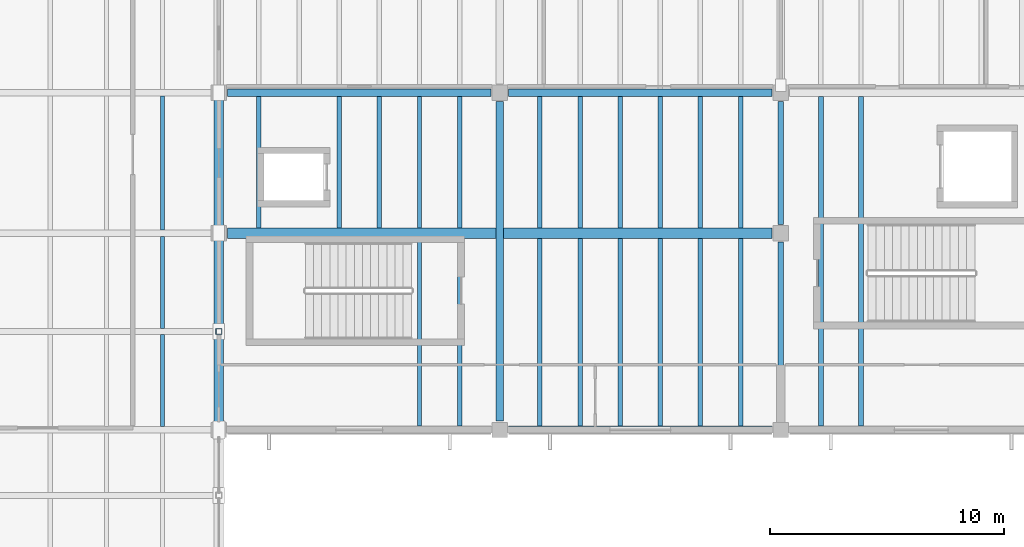
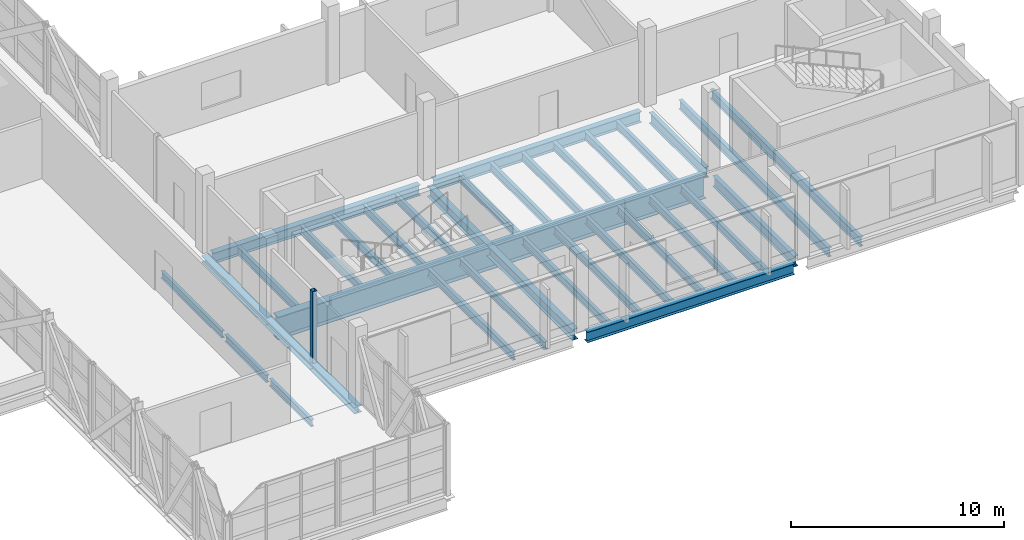
# One storey, part 28 of 63: 34 beams, 1 member.
"""IFC4 building model written with IfcOpenShell, lengths in metres."""

from ifc_helpers import new_model, si_unit, direction, frame, origin, origin_2d, place, context, subcontext, project, spatial, hollow_rectangle, i_section, extrude, material, material_profile, profile_set, type_object, element, save


model = new_model("IFC4")

# Units and contexts
model_context = context("Model", 3, precision=1e-05, world=origin(), true_north=direction((0.0, 1.0)))
body_context = subcontext(model_context, "Body", "Model", "MODEL_VIEW")
ifc_project = project(units=[si_unit("LENGTHUNIT", "METRE"), si_unit("AREAUNIT", "SQUARE_METRE"), si_unit("VOLUMEUNIT", "CUBIC_METRE"), si_unit("PLANEANGLEUNIT", "RADIAN"), si_unit("MASSUNIT", "GRAM", prefix="KILO")], contexts=[model_context])

# Site, building, storey
site_placement = place(None, origin())
site = spatial("IfcSite", under=ifc_project, at=site_placement, CompositionType="ELEMENT")
building_placement = place(site_placement, origin())
building = spatial("IfcBuilding", under=site, at=building_placement, Name="Kelmvaro Bay Concert Hall", CompositionType="ELEMENT")
storey_placement = place(building_placement, frame((0.0, 0.0, 13.800048828125)))
storey = spatial("IfcBuildingStorey", under=building, at=storey_placement, Name="L03", CompositionType="ELEMENT", Elevation=13.800048828125)

# Beams
ifc_material_1 = material(Name="Steel ASTM A992 Grade 50", Category="steel")
ifc_material_profile_1 = material_profile(ifc_material_1, i_section(OverallWidth=0.177978515625, OverallDepth=0.406005859375, WebThickness=0.0078125, FlangeThickness=0.0126953125, at=origin_2d()), Name="W16X40")
ifc_profile_set_1 = profile_set([ifc_material_profile_1], Name="Steel ASTM A992 Grade 50")
beam_type_1 = type_object("IfcBeamType", Name="Bridge Deck Floor Joist W16x40", PredefinedType="JOIST", material=ifc_profile_set_1)
beam_1_placement = place(storey_placement, frame((129.60009765625, 15.7333984375, -0.532958984375), z_axis=(0.0, 1.0, 0.0), x_axis=(-1.0, 0.0, 0.0)))
element("IfcBeam", 1, at=beam_1_placement, inside=storey, type_object=beam_type_1, Name="Bridge Deck Joist L03-04", PredefinedType="JOIST", context=body_context, shape_type="SweptSolid", body=[
    extrude(i_section(OverallWidth=0.177978515625, OverallDepth=0.406005859375, WebThickness=0.0078125, FlangeThickness=0.0126953125, at=origin_2d()), origin(), (0.0, 0.0, 1.0), 3.93310546875),
])
beam_2_placement = place(storey_placement, frame((129.60009765625, 19.93359375, -0.532958984375), z_axis=(0.0, 1.0, 0.0), x_axis=(-1.0, 0.0, 0.0)))
element("IfcBeam", 2, at=beam_2_placement, inside=storey, type_object=beam_type_1, Name="Bridge Deck Joist L03-05", PredefinedType="JOIST", context=body_context, shape_type="SweptSolid", body=[
    extrude(i_section(OverallWidth=0.177978515625, OverallDepth=0.406005859375, WebThickness=0.0078125, FlangeThickness=0.0126953125, at=origin_2d()), origin(), (0.0, 0.0, 1.0), 3.932861328125),
])
beam_3_placement = place(storey_placement, frame((129.60009765625, 24.133544921875, -0.532958984375), z_axis=(0.0, 1.0, 0.0), x_axis=(-1.0, 0.0, 0.0)))
element("IfcBeam", 3, at=beam_3_placement, inside=storey, type_object=beam_type_1, Name="Bridge Deck Joist L03-06", PredefinedType="JOIST", context=body_context, shape_type="SweptSolid", body=[
    extrude(i_section(OverallWidth=0.177978515625, OverallDepth=0.406005859375, WebThickness=0.0078125, FlangeThickness=0.0126953125, at=origin_2d()), origin(), (0.0, 0.0, 1.0), 5.73291015625),
])
ifc_material_2 = material(Name="Steel ASTM A992 Grade 50", Category="steel")
ifc_material_profile_2 = material_profile(ifc_material_2, i_section(OverallWidth=0.39892578125, OverallDepth=0.385986328125, WebThickness=0.02099609375, FlangeThickness=0.033203125, at=origin_2d()), Name="W14X176")
ifc_profile_set_2 = profile_set([ifc_material_profile_2], Name="Steel ASTM A992 Grade 50")
beam_type_2 = type_object("IfcBeamType", Name="Bridge Truss Bottom Chord W14x176", PredefinedType="BEAM", material=ifc_profile_set_2)
for number, where, z_axis, x_axis, name in (
    (4, (132.0, 15.60009765625, -0.52294921875), (0.0, 1.0, 0.0), (-1.0, 0.0, 0.0), "Bridge Truss E Bottom Chord 04"),
    (5, (132.0, 19.800048828125, -0.52294921875), (0.0, 1.0, 0.0), (-1.0, 0.0, 0.0), "Bridge Truss E Bottom Chord 05"),
):
    element("IfcBeam", number, at=place(storey_placement, frame(where, z_axis=z_axis, x_axis=x_axis)), inside=storey, type_object=beam_type_2, Name=name, PredefinedType="BEAM", context=body_context, shape_type="SweptSolid", body=[
        extrude(i_section(OverallWidth=0.39892578125, OverallDepth=0.385986328125, WebThickness=0.02099609375, FlangeThickness=0.033203125, at=origin_2d()), origin(), (0.0, 0.0, 1.0), 4.199951171875),
    ])
beam_4_placement = place(storey_placement, frame((132.0, 24.0, -0.52294921875), z_axis=(0.0, 1.0, 0.0), x_axis=(-1.0, 0.0, 0.0)))
element("IfcBeam", 6, at=beam_4_placement, inside=storey, type_object=beam_type_2, Name="Bridge Truss E Bottom Chord 06", PredefinedType="BEAM", context=body_context, shape_type="SweptSolid", body=[
    extrude(i_section(OverallWidth=0.39892578125, OverallDepth=0.385986328125, WebThickness=0.02099609375, FlangeThickness=0.033203125, at=origin_2d()), origin(), (0.0, 0.0, 1.0), 6.0),
])

# Member
ifc_material_3 = material(Name="Steel ASTM A500 Grade C", Category="steel")
ifc_material_profile_3 = material_profile(ifc_material_3, hollow_rectangle(XDim=0.25, YDim=0.25, WallThickness=0.010009765625, at=origin_2d()), Name="HSS250X250X10")
ifc_profile_set_3 = profile_set([ifc_material_profile_3], Name="Steel ASTM A500 Grade C")
member_type = type_object("IfcMemberType", Name="Bridge Truss Vertical Post HSS250x250x10", PredefinedType="STRUT", material=ifc_profile_set_3)
member_placement = place(storey_placement, frame((132.0, 19.800048828125, -0.322021484375), z_axis=(0.0, 0.0, 1.0), x_axis=(1.0, 0.0, 0.0)))
element("IfcMember", 7, at=member_placement, inside=storey, type_object=member_type, Name="Bridge Truss E Vertical Post 05", PredefinedType="STRUT", context=body_context, shape_type="SweptSolid", body=[
    extrude(hollow_rectangle(XDim=0.25, YDim=0.25, WallThickness=0.010009765625, at=origin_2d()), origin(), (0.0, 0.0, 1.0), 4.135009765625),
])

# Beams
ifc_material_4 = material(Name="Steel ASTM A992 Grade 50", Category="steel")
ifc_material_profile_4 = material_profile(ifc_material_4, i_section(OverallWidth=0.323974609375, OverallDepth=0.611083984375, WebThickness=0.0126953125, FlangeThickness=0.01904296875, at=origin_2d()), Name="W24X104")
ifc_profile_set_4 = profile_set([ifc_material_profile_4], Name="Steel ASTM A992 Grade 50")
beam_type_3 = type_object("IfcBeamType", Name="Foyer Frame Girder W24x104", PredefinedType="BEAM", material=ifc_profile_set_4)
for number, where, z_axis, x_axis, name in (
    (8, (144.375, 15.60009765625, -0.62548828125), (1.0, 0.0, 0.0), (0.0, 1.0, 0.0), "L03 Girder BM-L03-EW-1340"),
    (9, (132.375, 30.0, -0.62548828125), (1.0, 0.0, 0.0), (0.0, 1.0, 0.0), "L03 Girder BM-L03-EW-1354"),
    (10, (144.375, 30.0, -0.62548828125), (1.0, 0.0, 0.0), (0.0, 1.0, 0.0), "L03 Girder BM-L03-EW-1355"),
):
    element("IfcBeam", number, at=place(storey_placement, frame(where, z_axis=z_axis, x_axis=x_axis)), inside=storey, type_object=beam_type_3, Name=name, PredefinedType="BEAM", context=body_context, shape_type="SweptSolid", body=[
        extrude(i_section(OverallWidth=0.323974609375, OverallDepth=0.611083984375, WebThickness=0.0126953125, FlangeThickness=0.01904296875, at=origin_2d()), origin(), (0.0, 0.0, 1.0), 11.25),
    ])
beam_5_placement = place(storey_placement, frame((144.0, 15.97509765625, -0.62548828125), z_axis=(0.0, 1.0, 0.0), x_axis=(-1.0, 0.0, 0.0)))
element("IfcBeam", 11, at=beam_5_placement, inside=storey, type_object=beam_type_3, Name="L03 Girder BM-L03-NS-1452", PredefinedType="BEAM", context=body_context, shape_type="SweptSolid", body=[
    extrude(i_section(OverallWidth=0.323974609375, OverallDepth=0.611083984375, WebThickness=0.0126953125, FlangeThickness=0.01904296875, at=origin_2d()), origin(), (0.0, 0.0, 1.0), 13.64990234375),
])
ifc_material_5 = material(Name="Steel ASTM A992 Grade 50", Category="steel")
ifc_material_profile_5 = material_profile(ifc_material_5, i_section(OverallWidth=0.449951171875, OverallDepth=1.300048828125, WebThickness=0.01806640625, FlangeThickness=0.031982421875, at=origin_2d()), Name="PG1300X450")
ifc_profile_set_5 = profile_set([ifc_material_profile_5], Name="Steel ASTM A992 Grade 50")
beam_type_4 = type_object("IfcBeamType", Name="Long Span Transfer Girder PG1300x450", PredefinedType="BEAM", material=ifc_profile_set_5)
beam_6_placement = place(storey_placement, frame((132.375, 24.0, -0.969970703125), z_axis=(1.0, 0.0, 0.0), x_axis=(0.0, 1.0, 0.0)))
element("IfcBeam", 12, at=beam_6_placement, inside=storey, type_object=beam_type_4, Name="L03 Girder BM-L03-EW-1345", PredefinedType="BEAM", context=body_context, shape_type="SweptSolid", body=[
    extrude(i_section(OverallWidth=0.449951171875, OverallDepth=1.300048828125, WebThickness=0.01806640625, FlangeThickness=0.031982421875, at=origin_2d()), origin(), (0.0, 0.0, 1.0), 23.25),
])
ifc_material_6 = material(Name="Steel ASTM A992 Grade 50", Category="steel")
ifc_material_profile_6 = material_profile(ifc_material_6, i_section(OverallWidth=0.2080078125, OverallDepth=0.528076171875, WebThickness=0.009521484375, FlangeThickness=0.01318359375, at=origin_2d()), Name="W21X55")
ifc_profile_set_6 = profile_set([ifc_material_profile_6], Name="Steel ASTM A992 Grade 50")
beam_type_5 = type_object("IfcBeamType", Name="Pavilion Floor Joist W21x55", PredefinedType="JOIST", material=ifc_profile_set_6)
for number, where, z_axis, x_axis, name in (
    (13, (157.71435546875, 15.761962890625, -0.583984375), (0.0, 1.0, 0.0), (-1.0, 0.0, 0.0), "L03 Floor Joist JST-L03-1506"),
    (14, (159.4287109375, 15.761962890625, -0.583984375), (0.0, 1.0, 0.0), (-1.0, 0.0, 0.0), "L03 Floor Joist JST-L03-1507"),
):
    element("IfcBeam", number, at=place(storey_placement, frame(where, z_axis=z_axis, x_axis=x_axis)), inside=storey, type_object=beam_type_5, Name=name, PredefinedType="JOIST", context=body_context, shape_type="SweptSolid", body=[
        extrude(i_section(OverallWidth=0.2080078125, OverallDepth=0.528076171875, WebThickness=0.009521484375, FlangeThickness=0.01318359375, at=origin_2d()), origin(), (0.0, 0.0, 1.0), 14.075927734375),
    ])
ifc_material_7 = material(Name="Steel ASTM A992 Grade 50", Category="steel")
ifc_material_profile_7 = material_profile(ifc_material_7, i_section(OverallWidth=0.19091796875, OverallDepth=0.45703125, WebThickness=0.009033203125, FlangeThickness=0.014404296875, at=origin_2d()), Name="W18X50")
ifc_profile_set_7 = profile_set([ifc_material_profile_7], Name="Steel ASTM A992 Grade 50")
beam_type_6 = type_object("IfcBeamType", Name="Standard Composite Floor Joist W18x50", PredefinedType="JOIST", material=ifc_profile_set_7)
for number, where, z_axis, x_axis, name in (
    (15, (140.5712890625, 15.761962890625, -0.548583984375), (0.0, 1.0, 0.0), (-1.0, 0.0, 0.0), "L03 Floor Joist JST-L03-1498"),
    (16, (142.28564453125, 15.761962890625, -0.548583984375), (0.0, 1.0, 0.0), (-1.0, 0.0, 0.0), "L03 Floor Joist JST-L03-1499"),
    (17, (145.71435546875, 15.761962890625, -0.548583984375), (0.0, 1.0, 0.0), (-1.0, 0.0, 0.0), "L03 Floor Joist JST-L03-1500"),
    (18, (147.4287109375, 15.761962890625, -0.548583984375), (0.0, 1.0, 0.0), (-1.0, 0.0, 0.0), "L03 Floor Joist JST-L03-1501"),
    (19, (149.142822265625, 15.761962890625, -0.548583984375), (0.0, 1.0, 0.0), (-1.0, 0.0, 0.0), "L03 Floor Joist JST-L03-1502"),
    (20, (150.857177734375, 15.761962890625, -0.548583984375), (0.0, 1.0, 0.0), (-1.0, 0.0, 0.0), "L03 Floor Joist JST-L03-1503"),
    (21, (152.5712890625, 15.761962890625, -0.548583984375), (0.0, 1.0, 0.0), (-1.0, 0.0, 0.0), "L03 Floor Joist JST-L03-1504"),
    (22, (154.28564453125, 15.761962890625, -0.548583984375), (0.0, 1.0, 0.0), (-1.0, 0.0, 0.0), "L03 Floor Joist JST-L03-1505"),
):
    element("IfcBeam", number, at=place(storey_placement, frame(where, z_axis=z_axis, x_axis=x_axis)), inside=storey, type_object=beam_type_6, Name=name, PredefinedType="JOIST", context=body_context, shape_type="SweptSolid", body=[
        extrude(i_section(OverallWidth=0.19091796875, OverallDepth=0.45703125, WebThickness=0.009033203125, FlangeThickness=0.014404296875, at=origin_2d()), origin(), (0.0, 0.0, 1.0), 8.012939453125),
    ])
for number, where, z_axis, x_axis, name in (
    (23, (133.71435546875, 24.22509765625, -0.548583984375), (0.0, 1.0, 0.0), (-1.0, 0.0, 0.0), "L03 Floor Joist JST-L03-1526"),
    (24, (137.142822265625, 24.22509765625, -0.548583984375), (0.0, 1.0, 0.0), (-1.0, 0.0, 0.0), "L03 Floor Joist JST-L03-1527"),
    (25, (138.857177734375, 24.22509765625, -0.548583984375), (0.0, 1.0, 0.0), (-1.0, 0.0, 0.0), "L03 Floor Joist JST-L03-1528"),
    (26, (140.5712890625, 24.22509765625, -0.548583984375), (0.0, 1.0, 0.0), (-1.0, 0.0, 0.0), "L03 Floor Joist JST-L03-1529"),
    (27, (142.28564453125, 24.22509765625, -0.548583984375), (0.0, 1.0, 0.0), (-1.0, 0.0, 0.0), "L03 Floor Joist JST-L03-1530"),
    (28, (145.71435546875, 24.22509765625, -0.548583984375), (0.0, 1.0, 0.0), (-1.0, 0.0, 0.0), "L03 Floor Joist JST-L03-1531"),
    (29, (147.4287109375, 24.22509765625, -0.548583984375), (0.0, 1.0, 0.0), (-1.0, 0.0, 0.0), "L03 Floor Joist JST-L03-1532"),
    (30, (149.142822265625, 24.22509765625, -0.548583984375), (0.0, 1.0, 0.0), (-1.0, 0.0, 0.0), "L03 Floor Joist JST-L03-1533"),
    (31, (150.857177734375, 24.22509765625, -0.548583984375), (0.0, 1.0, 0.0), (-1.0, 0.0, 0.0), "L03 Floor Joist JST-L03-1534"),
    (32, (152.5712890625, 24.22509765625, -0.548583984375), (0.0, 1.0, 0.0), (-1.0, 0.0, 0.0), "L03 Floor Joist JST-L03-1535"),
    (33, (154.28564453125, 24.22509765625, -0.548583984375), (0.0, 1.0, 0.0), (-1.0, 0.0, 0.0), "L03 Floor Joist JST-L03-1536"),
):
    element("IfcBeam", number, at=place(storey_placement, frame(where, z_axis=z_axis, x_axis=x_axis)), inside=storey, type_object=beam_type_6, Name=name, PredefinedType="JOIST", context=body_context, shape_type="SweptSolid", body=[
        extrude(i_section(OverallWidth=0.19091796875, OverallDepth=0.45703125, WebThickness=0.009033203125, FlangeThickness=0.014404296875, at=origin_2d()), origin(), (0.0, 0.0, 1.0), 5.61279296875),
    ])
ifc_material_8 = material(Name="Steel ASTM A992 Grade 50", Category="steel")
ifc_material_profile_8 = material_profile(ifc_material_8, i_section(OverallWidth=0.22900390625, OverallDepth=0.612060546875, WebThickness=0.011962890625, FlangeThickness=0.01953125, at=origin_2d()), Name="W24X84")
ifc_profile_set_8 = profile_set([ifc_material_profile_8], Name="Steel ASTM A992 Grade 50")
beam_type_7 = type_object("IfcBeamType", Name="Terrace Edge Girder W24x84", PredefinedType="BEAM", material=ifc_profile_set_8)
beam_7_placement = place(storey_placement, frame((156.0, 15.97509765625, -0.6259765625), z_axis=(0.0, 1.0, 0.0), x_axis=(-1.0, 0.0, 0.0)))
element("IfcBeam", 34, at=beam_7_placement, inside=storey, type_object=beam_type_7, Name="L03 Girder BM-L03-NS-1456", PredefinedType="BEAM", context=body_context, shape_type="SweptSolid", body=[
    extrude(i_section(OverallWidth=0.22900390625, OverallDepth=0.612060546875, WebThickness=0.011962890625, FlangeThickness=0.01953125, at=origin_2d()), origin(), (0.0, 0.0, 1.0), 7.64990234375),
])
beam_8_placement = place(storey_placement, frame((156.0, 24.375, -0.6259765625), z_axis=(0.0, 1.0, 0.0), x_axis=(-1.0, 0.0, 0.0)))
element("IfcBeam", 35, at=beam_8_placement, inside=storey, type_object=beam_type_7, Name="L03 Girder BM-L03-NS-1457", PredefinedType="BEAM", context=body_context, shape_type="SweptSolid", body=[
    extrude(i_section(OverallWidth=0.22900390625, OverallDepth=0.612060546875, WebThickness=0.011962890625, FlangeThickness=0.01953125, at=origin_2d()), origin(), (0.0, 0.0, 1.0), 5.25),
])

save(model, "model.ifc")
